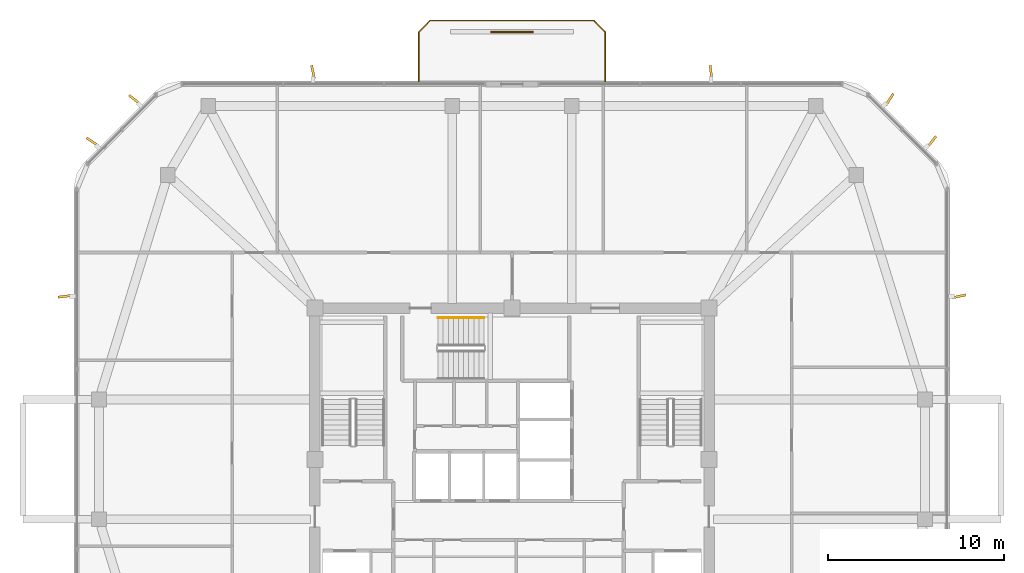
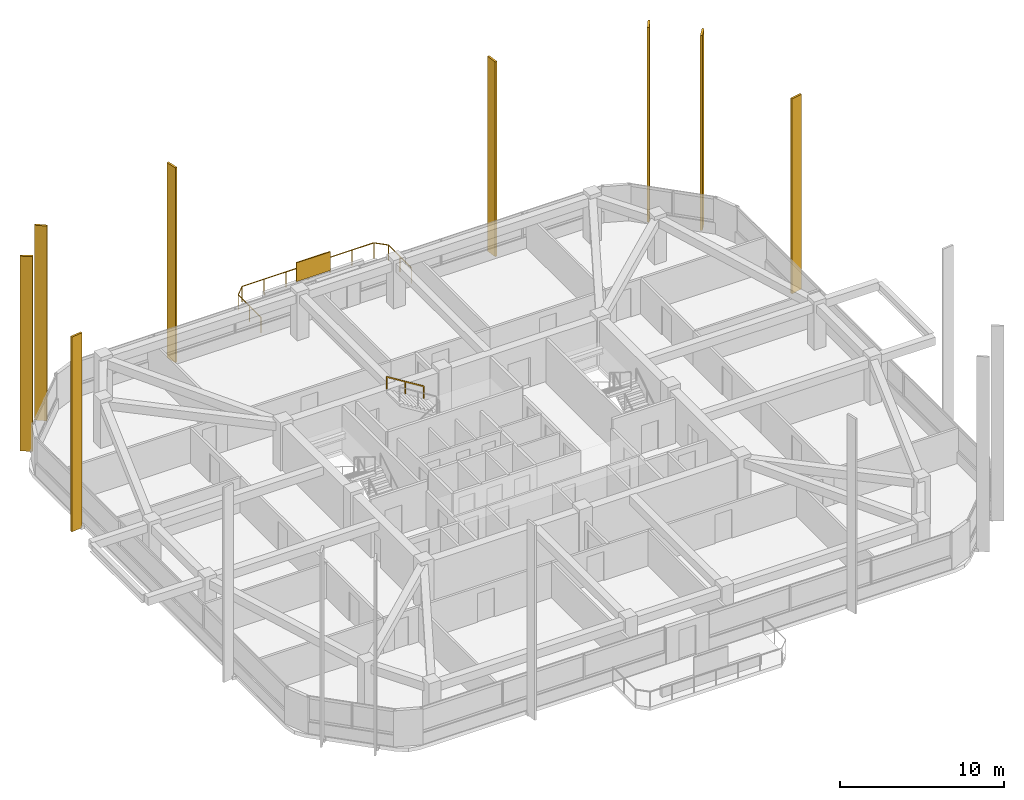
# One storey, part 13 of 13: 9 shading devices, 2 railings.
"""IFC4 building model written with IfcOpenShell, lengths in metres."""

from ifc_helpers import new_model, si_unit, derived_unit, direction, frame, origin, origin_2d, place, context, subcontext, project, spatial, rectangle, extrude, material, layer, layer_set, type_object, element, save


model = new_model("IFC4")

# Units and contexts
model_context = context("Model", 3, precision=1e-05, world=origin(), true_north=direction((0.0, 1.0)))
body_context = subcontext(model_context, "Body", "Model", "MODEL_VIEW")
ifc_project = project(units=[si_unit("LENGTHUNIT", "METRE"), si_unit("AREAUNIT", "SQUARE_METRE"), si_unit("VOLUMEUNIT", "CUBIC_METRE"), si_unit("PLANEANGLEUNIT", "RADIAN"), si_unit("MASSUNIT", "GRAM", prefix="KILO"), derived_unit("THERMALTRANSMITTANCEUNIT", [(si_unit("POWERUNIT", "WATT"), 1), (si_unit("LENGTHUNIT", "METRE"), -2), (si_unit("THERMODYNAMICTEMPERATUREUNIT", "KELVIN"), -1)])], contexts=[model_context])

# Site, building, storey
site_placement = place(None, origin())
site = spatial("IfcSite", under=ifc_project, at=site_placement, CompositionType="ELEMENT")
building_placement = place(site_placement, origin())
building = spatial("IfcBuilding", under=site, at=building_placement, Name="Koralith Skygarden Medical Center", CompositionType="ELEMENT")
storey_placement = place(building_placement, frame((0.0, 0.0, 253.6201171875)))
storey = spatial("IfcBuildingStorey", under=building, at=storey_placement, Name="L65", CompositionType="ELEMENT", Elevation=253.6201171875)

# Shading devices
ifc_material_1 = material(Name="Aluminium 6063-T6", Category="aluminium")
shading_device_type_1 = type_object("IfcShadingDeviceType", Name="Limestone-Clad Solar Storm Fin 780", PredefinedType="USERDEFINED", material=ifc_material_1)
for number, where, z_axis, x_axis, name in (
    (1, (62.409912109375, 35.169921875, -0.2001953125), (0.0, 0.0, 1.0), (0.977936632473, 0.208901754101, 0.0), "L65 E Harmonic Solar Storm Fin 2"),
    (2, (60.860107421875, 43.9619140625, -0.2001953125), (0.0, 0.0, 1.0), (0.613968391961, 0.789330611134, 0.0), "L65 NE Harmonic Solar Storm Fin 1"),
    (3, (58.4619140625, 46.360107421875, -0.2001953125), (0.0, 0.0, 1.0), (0.543789777466, 0.83922147132, 0.0), "L65 NE Harmonic Solar Storm Fin 2"),
    (4, (48.31005859375, 47.909912109375, -0.2001953125), (0.0, 0.0, 1.0), (-0.123999814342, 0.992282241121, 0.0), "L65 N Harmonic Solar Storm Fin 1"),
    (5, (25.68994140625, 47.909912109375, -0.2001953125), (0.0, 0.0, 1.0), (-0.208901754101, 0.977936632473, 0.0), "L65 N Harmonic Solar Storm Fin 2"),
    (6, (15.5380859375, 46.360107421875, -0.2001953125), (0.0, 0.0, 1.0), (-0.789330611134, 0.613968391961, 0.0), "L65 NW Harmonic Solar Storm Fin 1"),
    (7, (13.139892578125, 43.9619140625, -0.2001953125), (0.0, 0.0, 1.0), (-0.83922147132, 0.543789777466, 0.0), "L65 NW Harmonic Solar Storm Fin 2"),
    (8, (11.590087890625, 35.169921875, -0.2001953125), (0.0, 0.0, 1.0), (-0.992282241121, -0.123999814342, 0.0), "L65 W Harmonic Solar Storm Fin 1"),
):
    element("IfcShadingDevice", number, at=place(storey_placement, frame(where, z_axis=z_axis, x_axis=x_axis)), inside=storey, type_object=shading_device_type_1, Name=name, ObjectType="SOLAR FIN", PredefinedType="USERDEFINED", context=body_context, shape_type="SweptSolid", body=[
        extrude(rectangle(XDim=0.780029296875, YDim=0.139892578125, at=origin_2d()), origin(), (0.0, 0.0, 1.0), 14.550048828125),
    ])

# Railing
ifc_material_2 = material(Name="Steel ASTM A500 Grade C", Category="steel")
railing_type_1 = type_object("IfcRailingType", Name="Outdoor Terrace & Balcony Safety Guardrail 1180", PredefinedType="GUARDRAIL", material=ifc_material_2)
railing_1_placement = place(storey_placement, frame((42.300048828125, 47.39990234375, 0.0)))
element("IfcRailing", 9, at=railing_1_placement, inside=storey, type_object=railing_type_1, Name="L65 N Balcony Perimeter Guardrail", PredefinedType="GUARDRAIL", context=body_context, shape_type="SweptSolid", body=[
    extrude(rectangle(XDim=0.050048828125, YDim=0.050048828125, at=origin_2d()), frame((0.0, 0.001953125, 1.15478515625), z_axis=(0.0, 1.0, 0.0), x_axis=(-1.0, 0.0, 0.0)), (0.0, 0.0, 1.0), 2.796142578125),
    extrude(rectangle(XDim=0.050048828125, YDim=0.050048828125, at=origin_2d()), frame((-0.00146484375, 2.801513671875, 1.15478515625), z_axis=(-0.707106781187, 0.707106781187, 0.0), x_axis=(-0.707106781187, -0.707106781187, 0.0)), (0.0, 0.0, 1.0), 0.91552734375),
    extrude(rectangle(XDim=0.050048828125, YDim=0.050048828125, at=origin_2d()), frame((-0.652099609375, 3.4501953125, 1.15478515625), z_axis=(-1.0, 0.0, 0.0), x_axis=(0.0, -1.0, 0.0)), (0.0, 0.0, 1.0), 9.2958984375),
    extrude(rectangle(XDim=0.050048828125, YDim=0.050048828125, at=origin_2d()), frame((-9.951416015625, 3.44873046875, 1.15478515625), z_axis=(-0.707106781187, -0.707106781187, 0.0), x_axis=(0.707106781187, -0.707106781187, 0.0)), (0.0, 0.0, 1.0), 0.91552734375),
    extrude(rectangle(XDim=0.050048828125, YDim=0.050048828125, at=origin_2d()), frame((-10.60009765625, 2.798095703125, 1.15478515625), z_axis=(0.0, -1.0, 0.0), x_axis=(1.0, 0.0, 0.0)), (0.0, 0.0, 1.0), 2.796142578125),
    extrude(rectangle(XDim=0.0419921875, YDim=0.0419921875, at=origin_2d()), origin(), (0.0, 0.0, 1.0), 1.1279296875),
    extrude(rectangle(XDim=0.0419921875, YDim=0.0419921875, at=origin_2d()), frame((0.0, 1.39990234375, 0.0)), (0.0, 0.0, 1.0), 1.1279296875),
    extrude(rectangle(XDim=0.0419921875, YDim=0.0419921875, at=origin_2d()), frame((0.0, 2.800048828125, 0.0)), (0.0, 0.0, 1.0), 1.1279296875),
    extrude(rectangle(XDim=0.0419921875, YDim=0.0419921875, at=origin_2d()), frame((-0.650146484375, 3.4501953125, 0.0)), (0.0, 0.0, 1.0), 1.1279296875),
    extrude(rectangle(XDim=0.0419921875, YDim=0.0419921875, at=origin_2d()), frame((-2.2001953125, 3.4501953125, 0.0)), (0.0, 0.0, 1.0), 1.1279296875),
    extrude(rectangle(XDim=0.0419921875, YDim=0.0419921875, at=origin_2d()), frame((-3.75, 3.4501953125, 0.0)), (0.0, 0.0, 1.0), 1.1279296875),
    extrude(rectangle(XDim=0.0419921875, YDim=0.0419921875, at=origin_2d()), frame((-5.300048828125, 3.4501953125, 0.0)), (0.0, 0.0, 1.0), 1.1279296875),
    extrude(rectangle(XDim=0.0419921875, YDim=0.0419921875, at=origin_2d()), frame((-6.85009765625, 3.4501953125, 0.0)), (0.0, 0.0, 1.0), 1.1279296875),
    extrude(rectangle(XDim=0.0419921875, YDim=0.0419921875, at=origin_2d()), frame((-8.39990234375, 3.4501953125, 0.0)), (0.0, 0.0, 1.0), 1.1279296875),
    extrude(rectangle(XDim=0.0419921875, YDim=0.0419921875, at=origin_2d()), frame((-9.949951171875, 3.4501953125, 0.0)), (0.0, 0.0, 1.0), 1.1279296875),
    extrude(rectangle(XDim=0.0419921875, YDim=0.0419921875, at=origin_2d()), frame((-10.60009765625, 2.800048828125, 0.0)), (0.0, 0.0, 1.0), 1.1279296875),
    extrude(rectangle(XDim=0.0419921875, YDim=0.0419921875, at=origin_2d()), frame((-10.60009765625, 1.39990234375, 0.0)), (0.0, 0.0, 1.0), 1.1279296875),
    extrude(rectangle(XDim=0.0419921875, YDim=0.0419921875, at=origin_2d()), frame((-10.60009765625, 0.0, 0.0)), (0.0, 0.0, 1.0), 1.1279296875),
])

# Shading device
ifc_layer = layer(ifc_material_1, 0.080078125)
ifc_layer_set = layer_set([ifc_layer], Name="Aluminium 6063-T6")
shading_device_type_2 = type_object("IfcShadingDeviceType", Name="Perforated Biophilic Balcony Trellis Screen", PredefinedType="USERDEFINED", material=ifc_layer_set)
shading_device_placement = place(storey_placement, frame((37.0, 50.199951171875, 0.719970703125), z_axis=(0.0, 0.0, 1.0), x_axis=(1.0, 0.0, 0.0)))
element("IfcShadingDevice", 10, at=shading_device_placement, inside=storey, type_object=shading_device_type_2, Name="L65 N Biophilic Balcony Trellis Screen", ObjectType="HURRICANE SCREEN", PredefinedType="USERDEFINED", context=body_context, shape_type="SweptSolid", body=[
    extrude(rectangle(XDim=2.39990234375, YDim=0.080078125, at=origin_2d()), origin(), (0.0, 0.0, 1.0), 1.39990234375),
])

# Railing
railing_type_2 = type_object("IfcRailingType", Name="Stair Flight Tubular Handrail 920", PredefinedType="HANDRAIL", material=ifc_material_2)
railing_2_placement = place(storey_placement, frame((35.409912109375, 33.949951171875, 1.97998046875)))
element("IfcRailing", 11, at=railing_2_placement, inside=storey, type_object=railing_type_2, Name="L65 ST3 stair handrail 2", PredefinedType="HANDRAIL", context=body_context, shape_type="SweptSolid", body=[
    extrude(rectangle(XDim=0.050048828125, YDim=0.050048828125, at=origin_2d()), frame((-0.001708984375, 0.0, 0.89599609375), z_axis=(-0.849646306263, 0.0, 0.527352969322), x_axis=(0.0, -1.0, 0.0)), (0.0, 0.0, 1.0), 3.067626953125),
    extrude(rectangle(XDim=0.0419921875, YDim=0.0419921875, at=origin_2d()), origin(), (0.0, 0.0, 1.0), 0.867919921875),
    extrude(rectangle(XDim=0.0419921875, YDim=0.0419921875, at=origin_2d()), frame((-1.304931640625, 0.0, 0.81005859375)), (0.0, 0.0, 1.0), 0.867919921875),
    extrude(rectangle(XDim=0.0419921875, YDim=0.0419921875, at=origin_2d()), frame((-2.60986328125, 0.0, 1.619873046875)), (0.0, 0.0, 1.0), 0.867919921875),
])

save(model, "model.ifc")
